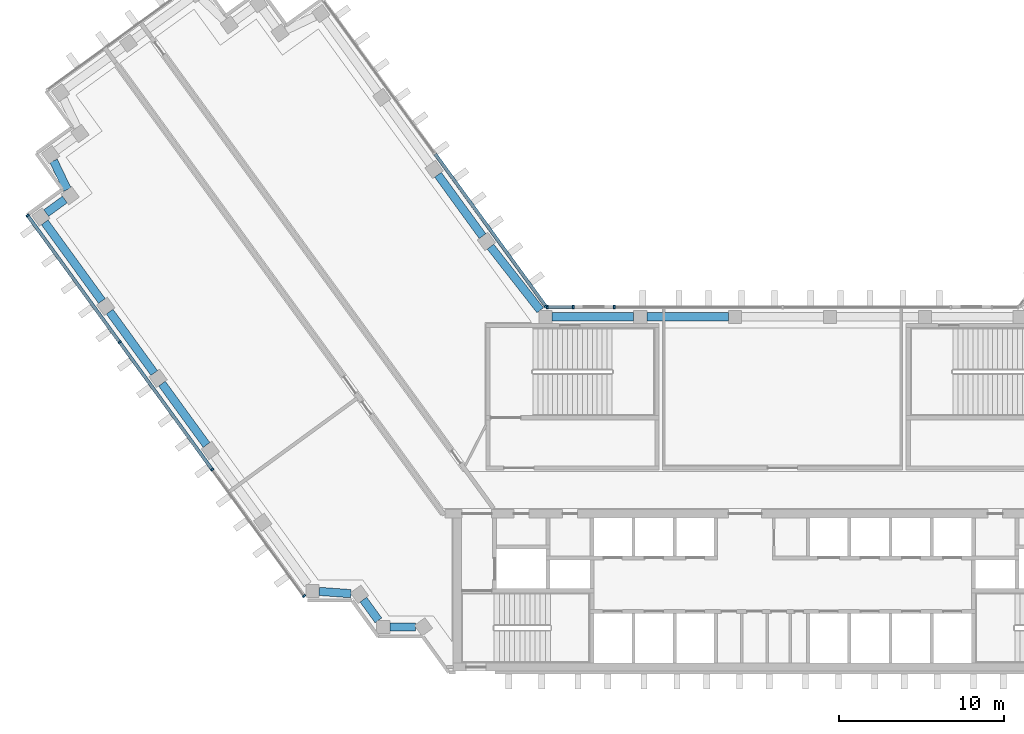
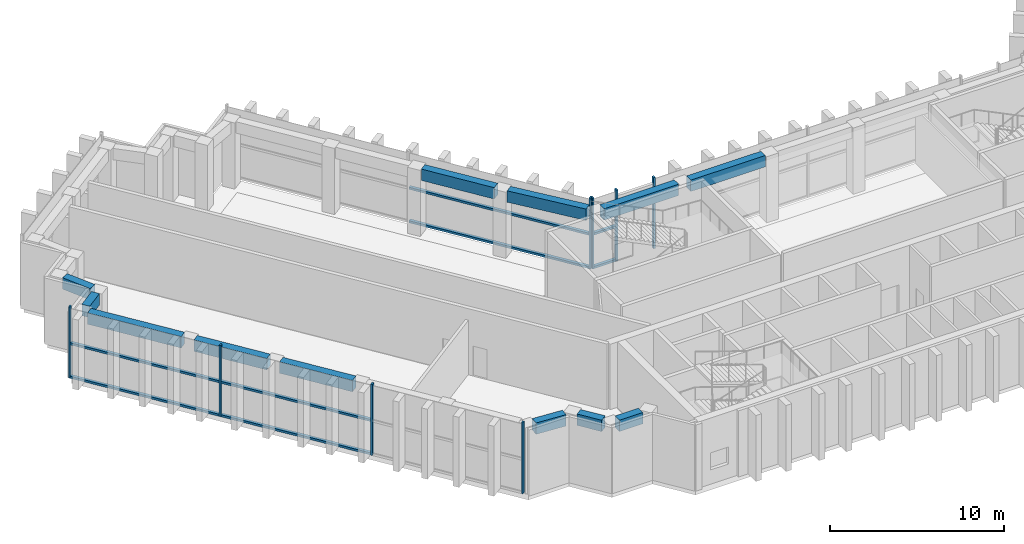
# One storey, part 2 of 14: 16 members, 12 beams, 4 elements without a shape of their own.
"""IFC4 building model written with IfcOpenShell, lengths in metres."""

from ifc_helpers import new_model, si_unit, direction, frame, origin, origin_2d, place, context, subcontext, project, spatial, rectangle, extrude, material, material_profile, profile_set, type_object, element, aggregate, save


model = new_model("IFC4")

# Units and contexts
model_context = context("Model", 3, precision=1e-05, world=origin(), true_north=direction((0.0, 1.0)))
body_context = subcontext(model_context, "Body", "Model", "MODEL_VIEW")
ifc_project = project(units=[si_unit("LENGTHUNIT", "METRE"), si_unit("AREAUNIT", "SQUARE_METRE"), si_unit("VOLUMEUNIT", "CUBIC_METRE"), si_unit("PLANEANGLEUNIT", "RADIAN"), si_unit("MASSUNIT", "GRAM", prefix="KILO")], contexts=[model_context])

# Site, building, storey
site_placement = place(None, origin())
site = spatial("IfcSite", under=ifc_project, at=site_placement, CompositionType="ELEMENT")
building_placement = place(site_placement, origin())
building = spatial("IfcBuilding", under=site, at=building_placement, Name="Quipu Civic Tower", CompositionType="ELEMENT")
storey_placement = place(building_placement, frame((0.0, 0.0, 139.0)))
storey = spatial("IfcBuildingStorey", under=building, at=storey_placement, Name="L32", CompositionType="ELEMENT", Elevation=139.0)

# Curtain wall, member
ifc_material_1 = material(Name="Insulated glass unit", Category="glass")
curtain_wall_type = type_object("IfcCurtainWallType", Name="Sky lobby and refuge curtain wall CW5", PredefinedType="NOTDEFINED", material=ifc_material_1)
curtain_wall_1_placement = place(storey_placement, origin())
curtain_wall_1 = element("IfcCurtainWall", 1, at=curtain_wall_1_placement, inside=storey, type_object=curtain_wall_type, Name="Sky lobby and refuge curtain wall CW5 L32 run 1", PredefinedType="NOTDEFINED")
ifc_material_2 = material(Name="Anodised aluminium", Category="aluminium")
ifc_material_profile_1 = material_profile(ifc_material_2, rectangle(XDim=0.199951171875, YDim=0.110107421875, at=origin_2d()), Name="RECT 200x110")
ifc_profile_set_1 = profile_set([ifc_material_profile_1], Name="Anodised aluminium")
member_type_1 = type_object("IfcMemberType", Name="Mullion CW5", PredefinedType="MULLION", material=ifc_profile_set_1)
member_1_placement = place(storey_placement, frame((-14.37646484375, 11.14453125, 0.074951171875), z_axis=(0.0, 0.0, 1.0), x_axis=(-0.809014469803, -0.587788727052, 0.0)))
member_1 = element("IfcMember", 2, at=member_1_placement, type_object=member_type_1, Name="CW5 mullion 1", PredefinedType="MULLION", context=body_context, shape_type="SweptSolid", body=[
    extrude(rectangle(XDim=0.199951171875, YDim=0.110107421875, at=origin_2d()), origin(), (0.0, 0.0, 1.0), 5.0),
])

# Curtain wall, members
curtain_wall_2_placement = place(storey_placement, origin())
curtain_wall_2 = element("IfcCurtainWall", 3, at=curtain_wall_2_placement, inside=storey, type_object=curtain_wall_type, Name="Sky lobby and refuge curtain wall CW5 L32 run 11", PredefinedType="NOTDEFINED")
member_2_placement = place(storey_placement, frame((-45.817138671875, 16.64990234375, 0.074951171875), z_axis=(0.0, 0.0, 1.0), x_axis=(0.80901667469, 0.5877856923, 0.0)))
member_2 = element("IfcMember", 4, at=member_2_placement, type_object=member_type_1, Name="CW5 mullion 1", PredefinedType="MULLION", context=body_context, shape_type="SweptSolid", body=[
    extrude(rectangle(XDim=0.199951171875, YDim=0.110107421875, at=origin_2d()), origin(), (0.0, 0.0, 1.0), 5.0),
])
member_3_placement = place(storey_placement, frame((-40.23486328125, 8.966552734375, 0.074951171875), z_axis=(0.0, 0.0, 1.0), x_axis=(0.80901667469, 0.5877856923, 0.0)))
member_3 = element("IfcMember", 5, at=member_3_placement, type_object=member_type_1, Name="CW5 mullion 2", PredefinedType="MULLION", context=body_context, shape_type="SweptSolid", body=[
    extrude(rectangle(XDim=0.199951171875, YDim=0.110107421875, at=origin_2d()), origin(), (0.0, 0.0, 1.0), 5.0),
])
member_4_placement = place(storey_placement, frame((-34.620361328125, 1.23876953125, 0.074951171875), z_axis=(0.0, 0.0, 1.0), x_axis=(0.80901667469, 0.5877856923, 0.0)))
member_4 = element("IfcMember", 6, at=member_4_placement, type_object=member_type_1, Name="CW5 mullion 3", PredefinedType="MULLION", context=body_context, shape_type="SweptSolid", body=[
    extrude(rectangle(XDim=0.199951171875, YDim=0.110107421875, at=origin_2d()), origin(), (0.0, 0.0, 1.0), 5.0),
])
member_5_placement = place(storey_placement, frame((-29.038330078125, -6.4443359375, 0.074951171875), z_axis=(0.0, 0.0, 1.0), x_axis=(0.80901667469, 0.5877856923, 0.0)))
member_5 = element("IfcMember", 7, at=member_5_placement, type_object=member_type_1, Name="CW5 mullion 4", PredefinedType="MULLION", context=body_context, shape_type="SweptSolid", body=[
    extrude(rectangle(XDim=0.199951171875, YDim=0.110107421875, at=origin_2d()), origin(), (0.0, 0.0, 1.0), 5.0),
])

# Curtain wall, member
curtain_wall_3_placement = place(storey_placement, origin())
curtain_wall_3 = element("IfcCurtainWall", 8, at=curtain_wall_3_placement, inside=storey, type_object=curtain_wall_type, Name="Sky lobby and refuge curtain wall CW5 L32 run 36", PredefinedType="NOTDEFINED")
member_6_placement = place(storey_placement, frame((-10.20849609375, 11.10009765625, 0.074951171875), z_axis=(0.0, 0.0, 1.0), x_axis=(0.0, -1.0, 0.0)))
member_6 = element("IfcMember", 9, at=member_6_placement, type_object=member_type_1, Name="CW5 mullion 3", PredefinedType="MULLION", context=body_context, shape_type="SweptSolid", body=[
    extrude(rectangle(XDim=0.199951171875, YDim=0.110107421875, at=origin_2d()), origin(), (0.0, 0.0, 1.0), 5.0),
])
aggregate(curtain_wall_3, [member_6])

# Curtain wall, members
curtain_wall_4_placement = place(storey_placement, origin())
curtain_wall_4 = element("IfcCurtainWall", 10, at=curtain_wall_4_placement, inside=storey, type_object=curtain_wall_type, Name="Sky lobby and refuge curtain wall CW5 L32 run 38", PredefinedType="NOTDEFINED")
member_7_placement = place(storey_placement, frame((-12.7099609375, 11.10009765625, 0.074951171875), z_axis=(0.0, 0.0, 1.0), x_axis=(0.0, -1.0, 0.0)))
member_7 = element("IfcMember", 11, at=member_7_placement, type_object=member_type_1, Name="CW5 mullion 1", PredefinedType="MULLION", context=body_context, shape_type="SweptSolid", body=[
    extrude(rectangle(XDim=0.199951171875, YDim=0.110107421875, at=origin_2d()), origin(), (0.0, 0.0, 1.0), 5.0),
])
member_8_placement = place(storey_placement, frame((-14.289306640625, 11.10009765625, 0.074951171875), z_axis=(0.0, 0.0, 1.0), x_axis=(0.0, -1.0, 0.0)))
member_8 = element("IfcMember", 12, at=member_8_placement, type_object=member_type_1, Name="CW5 mullion 2", PredefinedType="MULLION", context=body_context, shape_type="SweptSolid", body=[
    extrude(rectangle(XDim=0.199951171875, YDim=0.110107421875, at=origin_2d()), origin(), (0.0, 0.0, 1.0), 5.0),
])

# Beams
ifc_material_3 = material(Name="Concrete C50/60", Category="concrete")
ifc_material_profile_2 = material_profile(ifc_material_3, rectangle(XDim=0.5, YDim=0.800048828125, at=origin_2d()), Name="RC500x800")
ifc_profile_set_2 = profile_set([ifc_material_profile_2], Name="Concrete C50/60")
beam_type = type_object("IfcBeamType", Name="Spandrel beam RC 500x800 C50/60", PredefinedType="SPANDREL", material=ifc_profile_set_2)
beam_1_placement = place(storey_placement, frame((-18.208740234375, 15.398681640625, 4.25), z_axis=(-0.58776136044, 0.809034352283, 0.0), x_axis=(-0.809034352283, -0.58776136044, 0.0)))
element("IfcBeam", 13, at=beam_1_placement, inside=storey, type_object=beam_type, Name="Spandrel beam L32 W-IN-01 to W-IN-02", PredefinedType="SPANDREL", context=body_context, shape_type="SweptSolid", body=[
    extrude(rectangle(XDim=0.5, YDim=0.800048828125, at=origin_2d()), origin(), (0.0, 0.0, 1.0), 4.599853515625),
])
beam_2_placement = place(storey_placement, frame((-44.23974609375, 19.9677734375, 4.25), z_axis=(0.430785642718, -0.902454281406, 0.0), x_axis=(0.902454281406, 0.430785642718, 0.0)))
element("IfcBeam", 14, at=beam_2_placement, inside=storey, type_object=beam_type, Name="Spandrel beam L32 T-Wo.2-W34 to T-Wo.3-W34", PredefinedType="SPANDREL", context=body_context, shape_type="SweptSolid", body=[
    extrude(rectangle(XDim=0.5, YDim=0.800048828125, at=origin_2d()), origin(), (0.0, 0.0, 1.0), 1.934814453125),
])
beam_3_placement = place(storey_placement, frame((-43.554443359375, 17.619140625, 4.25), z_axis=(-0.808600329101, -0.588358315805, 0.0), x_axis=(0.588358315805, -0.808600329101, 0.0)))
element("IfcBeam", 15, at=beam_3_placement, inside=storey, type_object=beam_type, Name="Spandrel beam L32 T-Wo.3-W34 to T-Wo.4-W34", PredefinedType="SPANDREL", context=body_context, shape_type="SweptSolid", body=[
    extrude(rectangle(XDim=0.5, YDim=0.800048828125, at=origin_2d()), origin(), (0.0, 0.0, 1.0), 1.400146484375),
])
beam_4_placement = place(storey_placement, frame((-44.77490234375, 16.236328125, 4.25), z_axis=(0.58780026889, -0.809006083965, 0.0), x_axis=(0.809006083965, 0.58780026889, 0.0)))
element("IfcBeam", 16, at=beam_4_placement, inside=storey, type_object=beam_type, Name="Spandrel beam L32 T-Wo.4-W34 to W-OUT-04", PredefinedType="SPANDREL", context=body_context, shape_type="SweptSolid", body=[
    extrude(rectangle(XDim=0.5, YDim=0.800048828125, at=origin_2d()), origin(), (0.0, 0.0, 1.0), 5.902587890625),
])
beam_5_placement = place(storey_placement, frame((-40.835205078125, 10.81396484375, 4.25), z_axis=(0.587770861189, -0.809027449928, 0.0), x_axis=(0.809027449928, 0.587770861189, 0.0)))
element("IfcBeam", 17, at=beam_5_placement, inside=storey, type_object=beam_type, Name="Spandrel beam L32 W-OUT-04 to W-OUT-03", PredefinedType="SPANDREL", context=body_context, shape_type="SweptSolid", body=[
    extrude(rectangle(XDim=0.5, YDim=0.800048828125, at=origin_2d()), origin(), (0.0, 0.0, 1.0), 4.60009765625),
])
beam_6_placement = place(storey_placement, frame((-37.6611328125, 6.445068359375, 4.25), z_axis=(0.58776136044, -0.809034352283, 0.0), x_axis=(0.809034352283, 0.58776136044, 0.0)))
element("IfcBeam", 18, at=beam_6_placement, inside=storey, type_object=beam_type, Name="Spandrel beam L32 W-OUT-03 to W-OUT-02", PredefinedType="SPANDREL", context=body_context, shape_type="SweptSolid", body=[
    extrude(rectangle(XDim=0.5, YDim=0.800048828125, at=origin_2d()), origin(), (0.0, 0.0, 1.0), 4.599853515625),
])
beam_7_placement = place(storey_placement, frame((-28.125, -6.158935546875, 4.25), z_axis=(0.997370796499, -0.072467194581, 0.0), x_axis=(0.072467194581, 0.997370796499, 0.0)))
element("IfcBeam", 19, at=beam_7_placement, inside=storey, type_object=beam_type, Name="Spandrel beam L32 J-Wo.0 to J-Wo.1", PredefinedType="SPANDREL", context=body_context, shape_type="SweptSolid", body=[
    extrude(rectangle(XDim=0.5, YDim=0.800048828125, at=origin_2d()), origin(), (0.0, 0.0, 1.0), 1.933837890625),
])
beam_8_placement = place(storey_placement, frame((-25.43896484375, -6.660400390625, 4.25), z_axis=(0.588330737135, -0.808620395329, 0.0), x_axis=(0.808620395329, 0.588330737135, 0.0)))
element("IfcBeam", 20, at=beam_8_placement, inside=storey, type_object=beam_type, Name="Spandrel beam L32 J-Wo.1 to J-Wo.2", PredefinedType="SPANDREL", context=body_context, shape_type="SweptSolid", body=[
    extrude(rectangle(XDim=0.5, YDim=0.800048828125, at=origin_2d()), origin(), (0.0, 0.0, 1.0), 1.551513671875),
])
beam_9_placement = place(storey_placement, frame((-23.8349609375, -8.31494140625, 4.25), z_axis=(1.0, 0.0, 0.0), x_axis=(0.0, 1.0, 0.0)))
element("IfcBeam", 21, at=beam_9_placement, inside=storey, type_object=beam_type, Name="Spandrel beam L32 J-Wo.2 to J-Wo.3", PredefinedType="SPANDREL", context=body_context, shape_type="SweptSolid", body=[
    extrude(rectangle(XDim=0.5, YDim=0.800048828125, at=origin_2d()), origin(), (0.0, 0.0, 1.0), 1.548828125),
])
for number, where, z_axis, x_axis, name in (
    (22, (-3.279052734375, 10.5, 4.25), (-1.0, 0.0, 0.0), (0.0, -1.0, 0.0), "Spandrel beam L32 FRONT-03 to FRONT-04"),
    (23, (-9.037109375, 10.5, 4.25), (-1.0, 0.0, 0.0), (0.0, -1.0, 0.0), "Spandrel beam L32 FRONT-04 to J-Wi.0"),
):
    element("IfcBeam", number, at=place(storey_placement, frame(where, z_axis=z_axis, x_axis=x_axis)), inside=storey, type_object=beam_type, Name=name, PredefinedType="SPANDREL", context=body_context, shape_type="SweptSolid", body=[
        extrude(rectangle(XDim=0.5, YDim=0.800048828125, at=origin_2d()), origin(), (0.0, 0.0, 1.0), 4.9580078125),
    ])
beam_10_placement = place(storey_placement, frame((-14.7080078125, 10.89990234375, 4.25), z_axis=(-0.616090612932, 0.787675286306, 0.0), x_axis=(-0.787675286306, -0.616090612932, 0.0)))
element("IfcBeam", 24, at=beam_10_placement, inside=storey, type_object=beam_type, Name="Spandrel beam L32 J-Wi.0 to W-IN-01", PredefinedType="SPANDREL", context=body_context, shape_type="SweptSolid", body=[
    extrude(rectangle(XDim=0.5, YDim=0.800048828125, at=origin_2d()), origin(), (0.0, 0.0, 1.0), 4.900390625),
])

# Member
ifc_material_4 = material(Name="Anodised aluminium", Category="aluminium")
ifc_material_profile_3 = material_profile(ifc_material_4, rectangle(XDim=0.199951171875, YDim=0.14990234375, at=origin_2d()), Name="RECT 200x150")
ifc_profile_set_3 = profile_set([ifc_material_profile_3], Name="Anodised aluminium")
member_type_2 = type_object("IfcMemberType", Name="Transom CW5", PredefinedType="USERDEFINED", material=ifc_profile_set_3)
member_9_placement = place(storey_placement, frame((-14.408935546875, 11.18896484375, 0.14990234375), z_axis=(-0.587779229881, 0.809021369878, 0.0), x_axis=(-0.809021369878, -0.587779229881, 0.0)))
member_9 = element("IfcMember", 25, at=member_9_placement, type_object=member_type_2, Name="CW5 transom 1.1", ObjectType="TRANSOM", PredefinedType="USERDEFINED", context=body_context, shape_type="SweptSolid", body=[
    extrude(rectangle(XDim=0.199951171875, YDim=0.14990234375, at=origin_2d()), origin(), (0.0, 0.0, 1.0), 11.357177734375),
])

member_10_placement = place(storey_placement, frame((-14.408935546875, 11.18896484375, 2.5), z_axis=(-0.587779229881, 0.809021369878, 0.0), x_axis=(-0.809021369878, -0.587779229881, 0.0)))
member_10 = element("IfcMember", 26, at=member_10_placement, type_object=member_type_2, Name="CW5 transom 1.2", ObjectType="TRANSOM", PredefinedType="USERDEFINED", context=body_context, shape_type="SweptSolid", body=[
    extrude(rectangle(XDim=0.199951171875, YDim=0.14990234375, at=origin_2d()), origin(), (0.0, 0.0, 1.0), 11.357177734375),
])

aggregate(curtain_wall_1, [member_1, member_9, member_10])

member_11_placement = place(storey_placement, frame((-45.784912109375, 16.605224609375, 0.14990234375), z_axis=(0.587788114206, -0.809014915066, 0.0), x_axis=(0.809014915066, 0.587788114206, 0.0)))
member_11 = element("IfcMember", 27, at=member_11_placement, type_object=member_type_2, Name="CW5 transom 1.1", ObjectType="TRANSOM", PredefinedType="USERDEFINED", context=body_context, shape_type="SweptSolid", body=[
    extrude(rectangle(XDim=0.199951171875, YDim=0.14990234375, at=origin_2d()), origin(), (0.0, 0.0, 1.0), 9.386962890625),
])

member_12_placement = place(storey_placement, frame((-45.784912109375, 16.605224609375, 2.5), z_axis=(0.587788114206, -0.809014915066, 0.0), x_axis=(0.809014915066, 0.587788114206, 0.0)))
member_12 = element("IfcMember", 28, at=member_12_placement, type_object=member_type_2, Name="CW5 transom 1.2", ObjectType="TRANSOM", PredefinedType="USERDEFINED", context=body_context, shape_type="SweptSolid", body=[
    extrude(rectangle(XDim=0.199951171875, YDim=0.14990234375, at=origin_2d()), origin(), (0.0, 0.0, 1.0), 9.386962890625),
])

member_13_placement = place(storey_placement, frame((-40.20263671875, 8.922119140625, 0.14990234375), z_axis=(0.587784192593, -0.809017764291, 0.0), x_axis=(0.809017764291, 0.587784192593, 0.0)))
member_13 = element("IfcMember", 29, at=member_13_placement, type_object=member_type_2, Name="CW5 transom 2.1", ObjectType="TRANSOM", PredefinedType="USERDEFINED", context=body_context, shape_type="SweptSolid", body=[
    extrude(rectangle(XDim=0.199951171875, YDim=0.14990234375, at=origin_2d()), origin(), (0.0, 0.0, 1.0), 9.44189453125),
])

member_14_placement = place(storey_placement, frame((-40.20263671875, 8.922119140625, 2.5), z_axis=(0.587784192593, -0.809017764291, 0.0), x_axis=(0.809017764291, 0.587784192593, 0.0)))
member_14 = element("IfcMember", 30, at=member_14_placement, type_object=member_type_2, Name="CW5 transom 2.2", ObjectType="TRANSOM", PredefinedType="USERDEFINED", context=body_context, shape_type="SweptSolid", body=[
    extrude(rectangle(XDim=0.199951171875, YDim=0.14990234375, at=origin_2d()), origin(), (0.0, 0.0, 1.0), 9.44189453125),
])

aggregate(curtain_wall_2, [member_2, member_3, member_4, member_5, member_11, member_12, member_13, member_14])

member_15_placement = place(storey_placement, frame((-12.764892578125, 11.10009765625, 0.14990234375), z_axis=(-1.0, 0.0, 0.0), x_axis=(0.0, -1.0, 0.0)))
member_15 = element("IfcMember", 31, at=member_15_placement, type_object=member_type_2, Name="CW5 transom 1.1", ObjectType="TRANSOM", PredefinedType="USERDEFINED", context=body_context, shape_type="SweptSolid", body=[
    extrude(rectangle(XDim=0.199951171875, YDim=0.14990234375, at=origin_2d()), origin(), (0.0, 0.0, 1.0), 1.46923828125),
])

member_16_placement = place(storey_placement, frame((-12.764892578125, 11.10009765625, 2.5), z_axis=(-1.0, 0.0, 0.0), x_axis=(0.0, -1.0, 0.0)))
member_16 = element("IfcMember", 32, at=member_16_placement, type_object=member_type_2, Name="CW5 transom 1.2", ObjectType="TRANSOM", PredefinedType="USERDEFINED", context=body_context, shape_type="SweptSolid", body=[
    extrude(rectangle(XDim=0.199951171875, YDim=0.14990234375, at=origin_2d()), origin(), (0.0, 0.0, 1.0), 1.46923828125),
])

aggregate(curtain_wall_4, [member_7, member_8, member_15, member_16])

save(model, "model.ifc")
